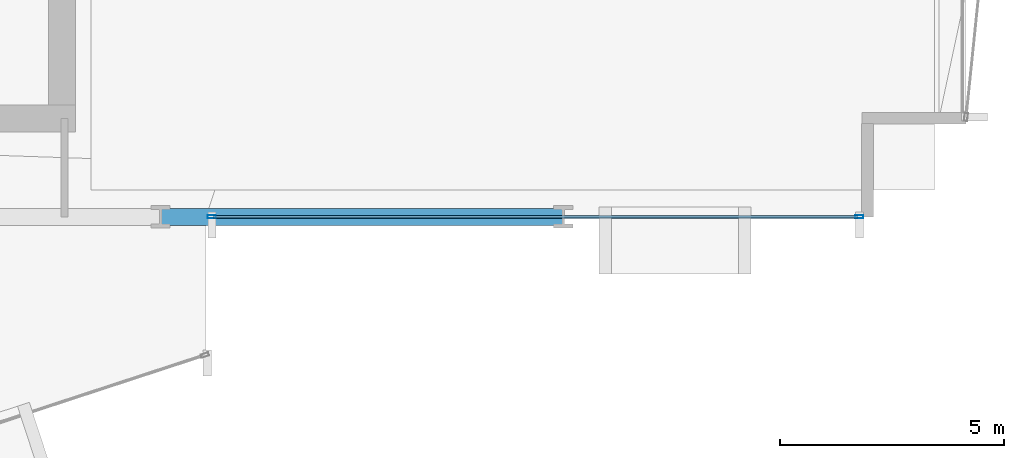
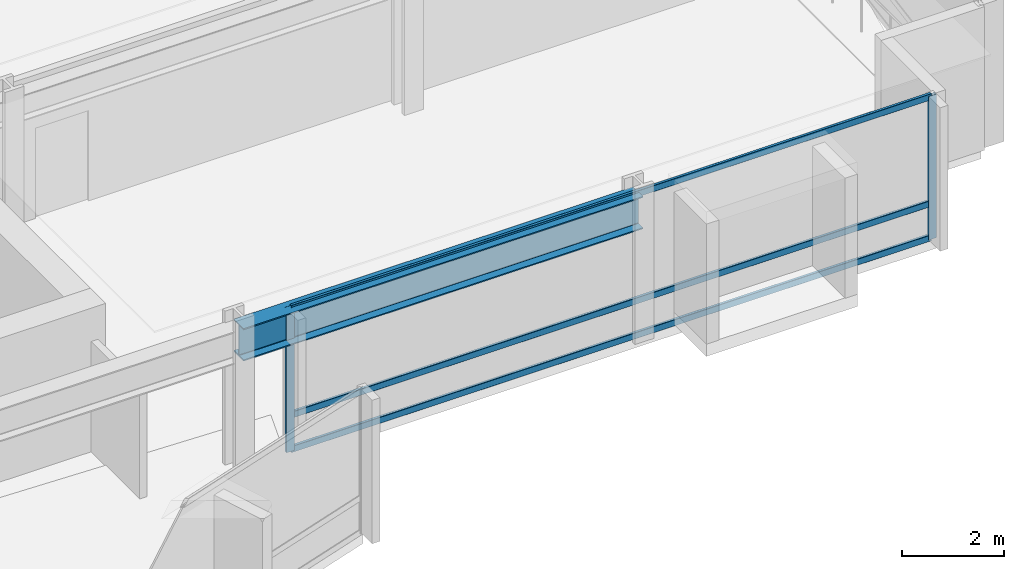
# One storey, part 12 of 34: 5 members, 1 beam, 1 element without a shape of its own.
"""IFC4 building model written with IfcOpenShell, lengths in metres."""

import ifcopenshell
import ifcopenshell.guid

model = None  # the IFC model being written
_history = None  # IfcOwnerHistory: only IFC2X3 demands one
_inside = {}  # id of a spatial element -> (the spatial element, [elements in it])
_under = {}  # id of a project, library or spatial element -> (it, [spatial elements below it])
_declared = {}  # id of a project -> (the project, [libraries it declares])
_typed = {}  # id of a type object -> (the type object, [elements of that type])
_made_of = {}  # id of a material, layer set ... -> (it, [elements and type objects made of it])


def new_model(schema):
    """Start an empty IFC model of exactly this schema.

    Asked for "IFC4X3", IfcOpenShell would pick the latest addendum, in which some entities
    have other attributes; the version numbers below select the first issue.
    IFC2X3 requires an IfcOwnerHistory on every rooted entity: one is made here for all.
    """
    global model, _history
    if schema == "IFC4X3":
        model = ifcopenshell.file(schema_version=(4, 3, 0, 0))
    else:
        model = ifcopenshell.file(schema=schema)
    _inside.clear()
    _under.clear()
    _declared.clear()
    _typed.clear()
    _made_of.clear()
    _history = None
    if model.schema == "IFC2X3":
        org = make("IfcOrganization", Name="unknown")
        user = make(
            "IfcPersonAndOrganization",
            ThePerson=make("IfcPerson", FamilyName="unknown"),
            TheOrganization=org,
        )
        app = make(
            "IfcApplication",
            ApplicationDeveloper=org,
            Version="unknown",
            ApplicationFullName="unknown",
            ApplicationIdentifier="unknown",
        )
        _history = make(
            "IfcOwnerHistory",
            OwningUser=user,
            OwningApplication=app,
            ChangeAction="ADDED",
            CreationDate=0,
        )
    return model


def make(cls, **values):
    """One entity of the class cls with the attributes given. An attribute that is None is left unset."""
    return model.create_entity(
        cls, **{name: value for name, value in values.items() if value is not None}
    )


def rooted(cls, **values):
    """An entity with a GlobalId (a new one), such as an element, a storey or a relation."""
    return make(cls, GlobalId=ifcopenshell.guid.new(), OwnerHistory=_history, **values)


def si_unit(unit_type, name, prefix=None):
    """IfcSIUnit, for example si_unit("LENGTHUNIT", "METRE", prefix="MILLI")."""
    return make("IfcSIUnit", UnitType=unit_type, Prefix=prefix, Name=name)


def assignment(units):
    """IfcUnitAssignment: the units of a project."""
    return None if units is None else make("IfcUnitAssignment", Units=units)


def point(xyz):
    """IfcCartesianPoint."""
    return None if xyz is None else make("IfcCartesianPoint", Coordinates=xyz)


def direction(xyz):
    """IfcDirection."""
    return None if xyz is None else make("IfcDirection", DirectionRatios=xyz)


def frame(location, z_axis=None, x_axis=None):
    """IfcAxis2Placement3D, a coordinate frame: its origin and axes. An axis left out is left unset."""
    return make(
        "IfcAxis2Placement3D",
        Location=point(location),
        Axis=direction(z_axis),
        RefDirection=direction(x_axis),
    )


def frame_2d(location, x_axis=None):
    """IfcAxis2Placement2D, a coordinate frame in the plane: its origin and x axis."""
    return make(
        "IfcAxis2Placement2D", Location=point(location), RefDirection=direction(x_axis)
    )


def origin():
    """The frame at (0, 0, 0) with its axes left unset."""
    return frame((0.0, 0.0, 0.0))


def origin_2d():
    """The frame at (0, 0) in the plane with its x axis left unset."""
    return frame_2d((0.0, 0.0))


def place(relative_to, where):
    """IfcLocalPlacement: puts the frame where relative to a parent placement (None: the world)."""
    return make(
        "IfcLocalPlacement", PlacementRelTo=relative_to, RelativePlacement=where
    )


def context(
    kind, dimensions, precision=None, world=None, true_north=None, identifier=None
):
    """IfcGeometricRepresentationContext, for example the 3D "Model" context."""
    return make(
        "IfcGeometricRepresentationContext",
        ContextIdentifier=identifier,
        ContextType=kind,
        CoordinateSpaceDimension=dimensions,
        Precision=precision,
        WorldCoordinateSystem=world,
        TrueNorth=true_north,
    )


def subcontext(parent, identifier, kind, view, scale=None):
    """IfcGeometricRepresentationSubContext, for example "Body" below "Model"."""
    return make(
        "IfcGeometricRepresentationSubContext",
        ContextIdentifier=identifier,
        ContextType=kind,
        ParentContext=parent,
        TargetScale=scale,
        TargetView=view,
    )


def project(units=None, contexts=None):
    """IfcProject with its units and contexts."""
    return rooted(
        "IfcProject",
        Name="project",
        RepresentationContexts=contexts,
        UnitsInContext=assignment(units),
    )


def spatial(cls, under=None, at=None, **own):
    """A site, building, storey or space (cls), placed at a placement, below another one or the project."""
    s = rooted(cls, ObjectPlacement=at, **own)
    if under is not None:
        _under.setdefault(under.id(), (under, []))[1].append(s)
    return s


def profile(cls, at=None, kind="AREA", **sizes):
    """A parametric profile (cls). Its sizes go by their IFC names, for example OverallWidth=200.0."""
    return make(cls, ProfileType=kind, Position=at, **sizes)


def hollow_rectangle(**sizes):
    """IfcRectangleHollowProfileDef."""
    return profile("IfcRectangleHollowProfileDef", **sizes)


def i_section(**sizes):
    """IfcIShapeProfileDef."""
    return profile("IfcIShapeProfileDef", **sizes)


def extrude(swept, where, along, depth):
    """IfcExtrudedAreaSolid: the profile swept, set in the frame where, extruded along a direction by depth."""
    return make(
        "IfcExtrudedAreaSolid",
        SweptArea=swept,
        Position=where,
        ExtrudedDirection=direction(along),
        Depth=depth,
    )


def shape(context_of_items, identifier, shape_type, items):
    """IfcShapeRepresentation: the items that make up one representation, for example the "Body"."""
    return make(
        "IfcShapeRepresentation",
        ContextOfItems=context_of_items,
        RepresentationIdentifier=identifier,
        RepresentationType=shape_type,
        Items=items,
    )


def material(Name=None, Category=None):
    """IfcMaterial."""
    return make("IfcMaterial", Name=Name, Category=Category)


def layer(
    of_material, thickness, ventilated=None, Name=None, Category=None, Priority=None
):
    """IfcMaterialLayer: one layer of a wall or slab, of a material (None: an air gap)."""
    return make(
        "IfcMaterialLayer",
        Material=of_material,
        LayerThickness=thickness,
        IsVentilated=ventilated,
        Name=Name,
        Category=Category,
        Priority=Priority,
    )


def layer_set(layers, Name=None):
    """IfcMaterialLayerSet."""
    return make("IfcMaterialLayerSet", MaterialLayers=layers, LayerSetName=Name)


def material_profile(
    of_material, cross_section, Name=None, Category=None, Priority=None
):
    """IfcMaterialProfile: a cross section and its material."""
    return make(
        "IfcMaterialProfile",
        Name=Name,
        Material=of_material,
        Profile=cross_section,
        Priority=Priority,
        Category=Category,
    )


def profile_set(profiles, Name=None, composite=None):
    """IfcMaterialProfileSet."""
    return make(
        "IfcMaterialProfileSet",
        Name=Name,
        MaterialProfiles=profiles,
        CompositeProfile=composite,
    )


def made_of(thing, what):
    """Note that an element or type object is made of a material, layer set ...; save() writes the relation."""
    if what is not None:
        _made_of.setdefault(what.id(), (what, []))[1].append(thing)
    return thing


def type_object(cls, material=None, **own):
    """A type object (cls), such as IfcWallType, which elements share."""
    return made_of(rooted(cls, **own), material)


def element(
    cls,
    number,
    at=None,
    inside=None,
    cuts=None,
    type_object=None,
    material=None,
    context=None,
    identifier="Body",
    shape_type=None,
    held_by="IfcProductDefinitionShape",
    body=None,
    shapes=None,
    **own,
):
    """One element of the class cls, such as IfcWall. Its Tag is "e" and its number.

    at: its placement. inside: the storey or other place that contains it. cuts: it is an
    opening in that element (IfcRelVoidsElement). A single representation is given by context,
    identifier, shape_type and body (its items); several are given by shapes. held_by: the class
    of the entity that holds the representations. save() writes the other relations.
    """
    e = rooted(cls, Tag="e%d" % number, ObjectPlacement=at, **own)
    if body is not None:
        shapes = [shape(context, identifier, shape_type, body)]
    if shapes is not None:
        e.Representation = make(held_by, Representations=shapes)
    if inside is not None:
        _inside.setdefault(inside.id(), (inside, []))[1].append(e)
    if cuts is not None:
        rooted(
            "IfcRelVoidsElement", RelatingBuildingElement=cuts, RelatedOpeningElement=e
        )
    if type_object is not None:
        _typed.setdefault(type_object.id(), (type_object, []))[1].append(e)
    return made_of(e, material)


def aggregate(whole, parts):
    """IfcRelAggregates: a whole, such as a stair, and the parts it consists of."""
    return rooted("IfcRelAggregates", RelatingObject=whole, RelatedObjects=parts)


def save(model, path):
    """Write the relations noted so far, then the file.

    IfcRelAggregates (storeys below a building ...), IfcRelContainedInSpatialStructure (elements
    in a storey), IfcRelDefinesByType, IfcRelAssociatesMaterial and IfcRelDeclares: one each for
    every whole, place, type object, material and project.
    """
    for whole, parts in _under.values():
        aggregate(whole, parts)
    for where, things in _inside.values():
        rooted(
            "IfcRelContainedInSpatialStructure",
            RelatedElements=things,
            RelatingStructure=where,
        )
    for kind, things in _typed.values():
        rooted("IfcRelDefinesByType", RelatedObjects=things, RelatingType=kind)
    for what, things in _made_of.values():
        rooted("IfcRelAssociatesMaterial", RelatedObjects=things, RelatingMaterial=what)
    for by, libraries in _declared.values():
        rooted("IfcRelDeclares", RelatingContext=by, RelatedDefinitions=libraries)
    model.write(path)


model = new_model("IFC4")

# Units and contexts
model_context = context("Model", 3, precision=1e-05, world=origin(), true_north=direction((0.0, 1.0)))
body_context = subcontext(model_context, "Body", "Model", "MODEL_VIEW")
ifc_project = project(units=[si_unit("LENGTHUNIT", "METRE"), si_unit("AREAUNIT", "SQUARE_METRE"), si_unit("VOLUMEUNIT", "CUBIC_METRE"), si_unit("PLANEANGLEUNIT", "RADIAN"), si_unit("MASSUNIT", "GRAM", prefix="KILO")], contexts=[model_context])

# Site, building, storey
site_placement = place(None, origin())
site = spatial("IfcSite", under=ifc_project, at=site_placement, CompositionType="ELEMENT")
building_placement = place(site_placement, origin())
building = spatial("IfcBuilding", under=site, at=building_placement, Name="Solvaryn Broadcast Tower", CompositionType="ELEMENT")
storey_placement = place(building_placement, frame((0.0, 0.0, 65.60009765625)))
storey = spatial("IfcBuildingStorey", under=building, at=storey_placement, Name="L15", CompositionType="ELEMENT", Elevation=65.60009765625)

# Beam
ifc_material_1 = material(Name="Steel ASTM A992 Grade 50", Category="steel")
ifc_material_profile_1 = material_profile(ifc_material_1, i_section(OverallWidth=0.381103515625, OverallDepth=0.77294921875, WebThickness=0.0166015625, FlangeThickness=0.027099609375, FilletRadius=0.01806640625, at=origin_2d()))
ifc_profile_set_1 = profile_set([ifc_material_profile_1], Name="Steel ASTM A992 Grade 50")
beam_type = type_object("IfcBeamType", Name="BM-SP1-W30X173", PredefinedType="USERDEFINED", material=ifc_profile_set_1)
beam_placement = place(storey_placement, frame((45.0, 9.0, 3.033447265625), z_axis=(1.0, 0.0, 0.0), x_axis=(0.0, 1.0, 0.0)))
element("IfcBeam", 1, at=beam_placement, inside=storey, type_object=beam_type, Name="L15 Spandrel Beam X (45-54 @ Y=9)", ObjectType="SPANDREL", PredefinedType="USERDEFINED", context=body_context, shape_type="SweptSolid", body=[
    extrude(i_section(OverallWidth=0.381103515625, OverallDepth=0.77294921875, WebThickness=0.0166015625, FlangeThickness=0.027099609375, FilletRadius=0.01806640625, at=origin_2d()), origin(), (0.0, 0.0, 1.0), 9.0),
])

# Curtain wall, members
ifc_material_2 = material(Name="Aluminium and Terracotta Unitised Curtain Wall", Category="masonry")
ifc_layer = layer(ifc_material_2, 0.199951171875)
ifc_layer_set = layer_set([ifc_layer], Name="CW-SYS2-LOWMID")
curtain_wall_type = type_object("IfcCurtainWallType", Name="CW-SYS2-LOWMID", PredefinedType="NOTDEFINED", material=ifc_layer_set)
curtain_wall_placement = place(storey_placement, origin())
curtain_wall = element("IfcCurtainWall", 2, at=curtain_wall_placement, inside=storey, type_object=curtain_wall_type, Name="L15 Curtain Wall S2", PredefinedType="NOTDEFINED")
ifc_material_3 = material(Name="Anodised Aluminium 6063-T6", Category="aluminium")
ifc_material_profile_2 = material_profile(ifc_material_3, hollow_rectangle(XDim=0.074951171875, YDim=0.179931640625, WallThickness=0.00390625, InnerFilletRadius=0.00390625, OuterFilletRadius=0.008056640625, at=origin_2d()))
ifc_profile_set_2 = profile_set([ifc_material_profile_2], Name="Anodised Aluminium 6063-T6")
member_type_1 = type_object("IfcMemberType", Name="CW-MUL-180", PredefinedType="MULLION", material=ifc_profile_set_2)
member_1_placement = place(storey_placement, frame((46.14599609375, 9.0, 0.0), z_axis=(0.0, 0.0, 1.0), x_axis=(0.0, 1.0, 0.0)))
member_1 = element("IfcMember", 3, at=member_1_placement, type_object=member_type_1, Name="CWS2 mullion 1", PredefinedType="MULLION", context=body_context, shape_type="SweptSolid", body=[
    extrude(hollow_rectangle(XDim=0.074951171875, YDim=0.179931640625, WallThickness=0.00390625, InnerFilletRadius=0.00390625, OuterFilletRadius=0.008056640625, at=origin_2d()), origin(), (0.0, 0.0, 1.0), 3.419921875),
])
member_2_placement = place(storey_placement, frame((60.6201171875, 9.0, 0.0), z_axis=(0.0, 0.0, 1.0), x_axis=(0.0, 1.0, 0.0)))
member_2 = element("IfcMember", 4, at=member_2_placement, type_object=member_type_1, Name="CWS2 mullion 2", PredefinedType="MULLION", context=body_context, shape_type="SweptSolid", body=[
    extrude(hollow_rectangle(XDim=0.074951171875, YDim=0.179931640625, WallThickness=0.00390625, InnerFilletRadius=0.00390625, OuterFilletRadius=0.008056640625, at=origin_2d()), origin(), (0.0, 0.0, 1.0), 3.419921875),
])
ifc_material_4 = material(Name="Anodised Aluminium 6063-T6", Category="aluminium")
ifc_material_profile_3 = material_profile(ifc_material_4, hollow_rectangle(XDim=0.06494140625, YDim=0.14990234375, WallThickness=0.00390625, InnerFilletRadius=0.00390625, OuterFilletRadius=0.008056640625, at=origin_2d()))
ifc_profile_set_3 = profile_set([ifc_material_profile_3], Name="Anodised Aluminium 6063-T6")
member_type_2 = type_object("IfcMemberType", Name="CW-TRN-150", PredefinedType="USERDEFINED", material=ifc_profile_set_3)
member_3_placement = place(storey_placement, frame((46.176025390625, 9.0, 0.02978515625), z_axis=(1.0, 0.0, 0.0), x_axis=(0.0, 1.0, 0.0)))
member_3 = element("IfcMember", 5, at=member_3_placement, type_object=member_type_2, Name="CWS2 transom 1.1", ObjectType="TRANSOM", PredefinedType="USERDEFINED", context=body_context, shape_type="SweptSolid", body=[
    extrude(hollow_rectangle(XDim=0.06494140625, YDim=0.14990234375, WallThickness=0.00390625, InnerFilletRadius=0.00390625, OuterFilletRadius=0.008056640625, at=origin_2d()), origin(), (0.0, 0.0, 1.0), 14.4140625),
])
member_4_placement = place(storey_placement, frame((46.176025390625, 9.0, 0.849853515625), z_axis=(1.0, 0.0, 0.0), x_axis=(0.0, 1.0, 0.0)))
member_4 = element("IfcMember", 6, at=member_4_placement, type_object=member_type_2, Name="CWS2 transom 1.2", ObjectType="TRANSOM", PredefinedType="USERDEFINED", context=body_context, shape_type="SweptSolid", body=[
    extrude(hollow_rectangle(XDim=0.06494140625, YDim=0.14990234375, WallThickness=0.00390625, InnerFilletRadius=0.00390625, OuterFilletRadius=0.008056640625, at=origin_2d()), origin(), (0.0, 0.0, 1.0), 14.4140625),
])
member_5_placement = place(storey_placement, frame((46.176025390625, 9.0, 3.389892578125), z_axis=(1.0, 0.0, 0.0), x_axis=(0.0, 1.0, 0.0)))
member_5 = element("IfcMember", 7, at=member_5_placement, type_object=member_type_2, Name="CWS2 transom 1.3", ObjectType="TRANSOM", PredefinedType="USERDEFINED", context=body_context, shape_type="SweptSolid", body=[
    extrude(hollow_rectangle(XDim=0.06494140625, YDim=0.14990234375, WallThickness=0.00390625, InnerFilletRadius=0.00390625, OuterFilletRadius=0.008056640625, at=origin_2d()), origin(), (0.0, 0.0, 1.0), 14.4140625),
])
aggregate(curtain_wall, [member_1, member_2, member_3, member_4, member_5])

save(model, "model.ifc")
